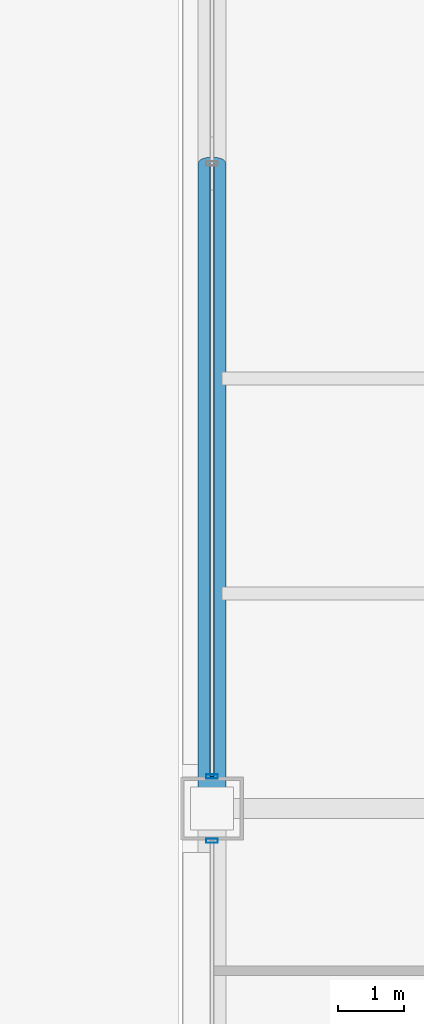
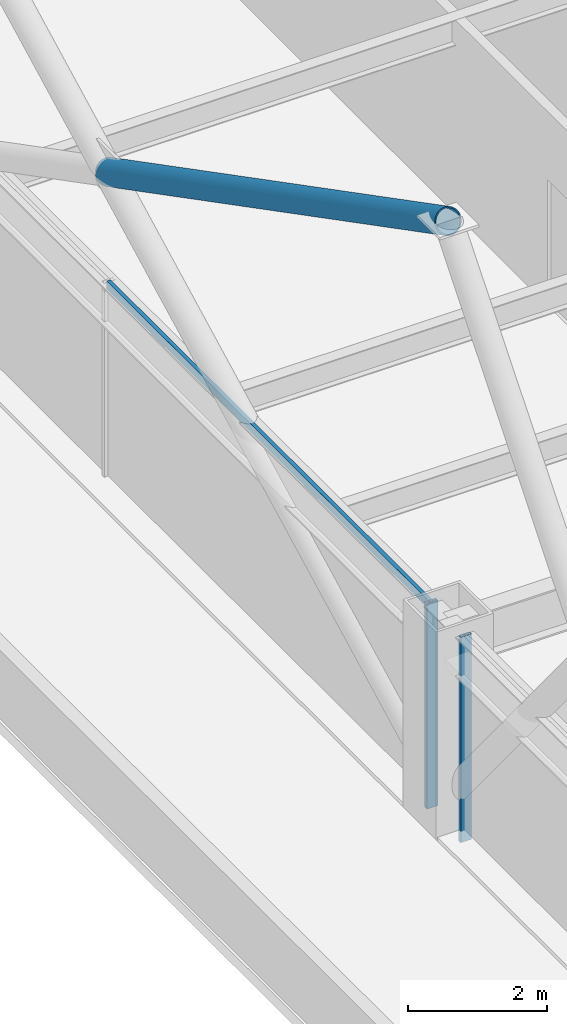
# One storey, part 6 of 33: 4 members, 2 elements without a shape of their own.
"""IFC4 building model written with IfcOpenShell, lengths in metres."""

from ifc_helpers import new_model, si_unit, direction, frame, origin, origin_2d, place, context, subcontext, project, spatial, hollow_rectangle, hollow_circle, extrude, material, layer, layer_set, material_profile, profile_set, type_object, element, aggregate, save


model = new_model("IFC4")

# Units and contexts
model_context = context("Model", 3, precision=1e-05, world=origin(), true_north=direction((0.0, 1.0)))
body_context = subcontext(model_context, "Body", "Model", "MODEL_VIEW")
ifc_project = project(units=[si_unit("LENGTHUNIT", "METRE"), si_unit("AREAUNIT", "SQUARE_METRE"), si_unit("VOLUMEUNIT", "CUBIC_METRE"), si_unit("PLANEANGLEUNIT", "RADIAN"), si_unit("MASSUNIT", "GRAM", prefix="KILO")], contexts=[model_context])

# Site, building, storey
site_placement = place(None, origin())
site = spatial("IfcSite", under=ifc_project, at=site_placement, CompositionType="ELEMENT")
building_placement = place(site_placement, origin())
building = spatial("IfcBuilding", under=site, at=building_placement, Name="Brelmoor Portico Tower", CompositionType="ELEMENT")
storey_placement = place(building_placement, frame((0.0, 0.0, 24.0)))
storey = spatial("IfcBuildingStorey", under=building, at=storey_placement, Name="L05", CompositionType="ELEMENT", Elevation=24.0)

# Member
ifc_material_1 = material(Name="Steel Q355B", Category="steel")
ifc_material_profile_1 = material_profile(ifc_material_1, hollow_circle(Radius=0.212890625, WallThickness=0.02001953125, at=origin_2d()), Name="CHS 426x20")
ifc_profile_set_1 = profile_set([ifc_material_profile_1], Name="Steel Q355B")
member_type_1 = type_object("IfcMemberType", Name="MB-BELT-DIAG1", PredefinedType="BRACE", material=ifc_profile_set_1)
member_1_placement = place(storey_placement, frame((-24.550048828125, 0.0, 5.300048828125), z_axis=(0.0, -0.887959386012, 0.459921872488), x_axis=(1.0, 0.0, 0.0)))
element("IfcMember", 1, at=member_1_placement, inside=storey, type_object=member_type_1, Name="L05 Split Mega-X Brace 006B2", PredefinedType="BRACE", context=body_context, shape_type="SweptSolid", body=[
    extrude(hollow_circle(Radius=0.212890625, WallThickness=0.02001953125, at=origin_2d()), origin(), (0.0, 0.0, 1.0), 10.980224609375),
])

# Curtain wall, member
ifc_material_2 = material(Name="Anodised Aluminium Alloy 6063-T6", Category="aluminium")
ifc_layer = layer(ifc_material_2, 0.179931640625)
ifc_layer_set = layer_set([ifc_layer], Name="Anodised Aluminium Alloy 6063-T6")
curtain_wall_type = type_object("IfcCurtainWallType", Name="CW-TOWER-Z1-XB", PredefinedType="NOTDEFINED", material=ifc_layer_set)
curtain_wall_1_placement = place(storey_placement, origin())
curtain_wall_1 = element("IfcCurtainWall", 2, at=curtain_wall_1_placement, inside=storey, type_object=curtain_wall_type, Name="L05 Curtain Wall CW-L05-03-1", PredefinedType="NOTDEFINED")
ifc_material_profile_2 = material_profile(ifc_material_2, hollow_rectangle(XDim=0.06494140625, YDim=0.179931640625, WallThickness=0.00390625, at=origin_2d()), Name="ALU MULLION 65x180")
ifc_profile_set_2 = profile_set([ifc_material_profile_2], Name="Anodised Aluminium Alloy 6063-T6")
member_type_2 = type_object("IfcMemberType", Name="MB-CW-MULL-180", PredefinedType="MULLION", material=ifc_profile_set_2)
member_2_placement = place(storey_placement, frame((-24.550048828125, -10.235107421875, -0.199951171875), z_axis=(0.0, 0.0, 1.0), x_axis=(0.0, 1.0, 0.0)))
member_2 = element("IfcMember", 3, at=member_2_placement, type_object=member_type_2, Name="CW-L05-03-1 Mullion 01", PredefinedType="MULLION", context=body_context, shape_type="SweptSolid", body=[
    extrude(hollow_rectangle(XDim=0.06494140625, YDim=0.179931640625, WallThickness=0.00390625, at=origin_2d()), origin(), (0.0, 0.0, 1.0), 3.599853515625),
])
aggregate(curtain_wall_1, [member_2])

# Curtain wall, members
curtain_wall_2_placement = place(storey_placement, origin())
curtain_wall_2 = element("IfcCurtainWall", 4, at=curtain_wall_2_placement, inside=storey, type_object=curtain_wall_type, Name="L05 Curtain Wall CW-L05-03-2", PredefinedType="NOTDEFINED")
member_3_placement = place(storey_placement, frame((-24.550048828125, -9.264892578125, -0.199951171875), z_axis=(0.0, 0.0, 1.0), x_axis=(0.0, 1.0, 0.0)))
member_3 = element("IfcMember", 5, at=member_3_placement, type_object=member_type_2, Name="CW-L05-03-2 Mullion 00", PredefinedType="MULLION", context=body_context, shape_type="SweptSolid", body=[
    extrude(hollow_rectangle(XDim=0.06494140625, YDim=0.179931640625, WallThickness=0.00390625, at=origin_2d()), origin(), (0.0, 0.0, 1.0), 3.599853515625),
])
ifc_material_profile_3 = material_profile(ifc_material_2, hollow_rectangle(XDim=0.06494140625, YDim=0.139892578125, WallThickness=0.00390625, at=origin_2d()), Name="ALU TRANSOM 65x140")
ifc_profile_set_3 = profile_set([ifc_material_profile_3], Name="Anodised Aluminium Alloy 6063-T6")
member_type_3 = type_object("IfcMemberType", Name="MB-CW-TRAN-140", PredefinedType="USERDEFINED", material=ifc_profile_set_3)
member_4_placement = place(storey_placement, frame((-24.550048828125, -9.264892578125, 3.330078125), z_axis=(0.0, 1.0, 0.0), x_axis=(-1.0, 0.0, 0.0)))
member_4 = element("IfcMember", 6, at=member_4_placement, type_object=member_type_3, Name="CW-L05-03-2 Transom 1-00", ObjectType="TRANSOM", PredefinedType="USERDEFINED", context=body_context, shape_type="SweptSolid", body=[
    extrude(hollow_rectangle(XDim=0.06494140625, YDim=0.139892578125, WallThickness=0.00390625, at=origin_2d()), origin(), (0.0, 0.0, 1.0), 9.264892578125),
])
aggregate(curtain_wall_2, [member_3, member_4])

save(model, "model.ifc")
